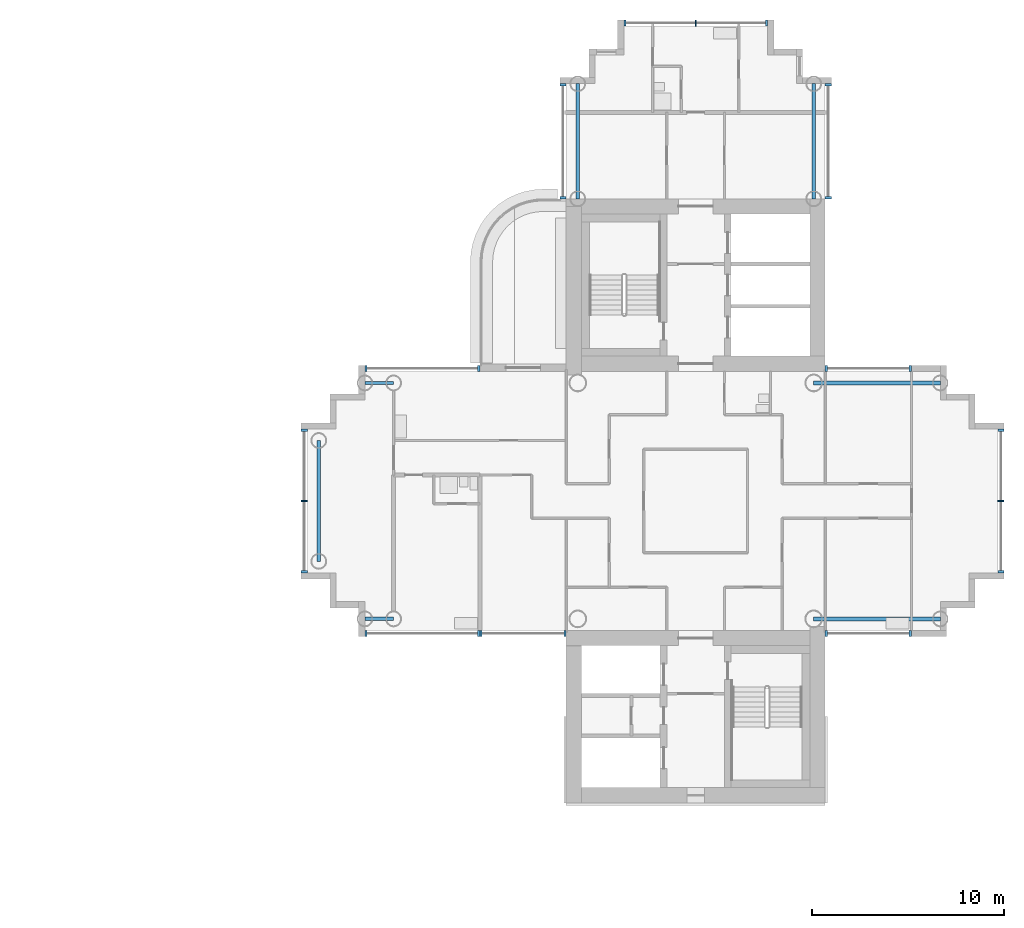
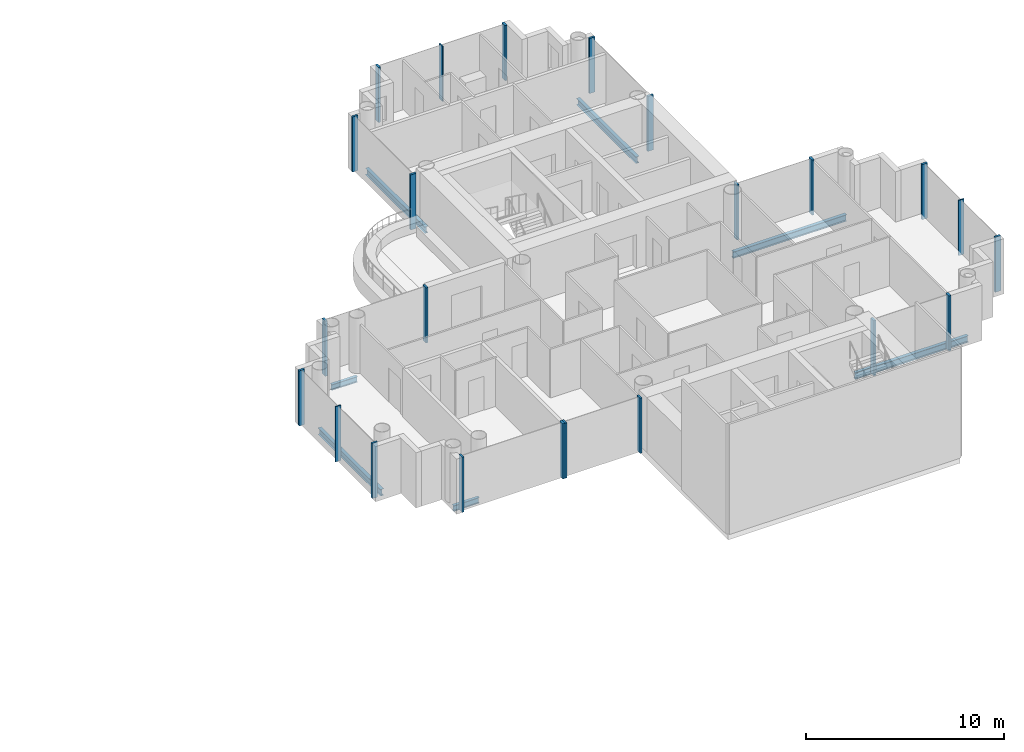
# One storey, part 4 of 19: 23 members, 7 beams, 10 elements without a shape of their own.
"""IFC4 building model written with IfcOpenShell, lengths in metres."""

from ifc_helpers import new_model, si_unit, direction, frame, origin, origin_2d, place, context, subcontext, project, spatial, rectangle, i_section, extrude, material, layer, layer_set, material_profile, profile_set, type_object, element, aggregate, save


model = new_model("IFC4")

# Units and contexts
model_context = context("Model", 3, precision=1e-05, world=origin(), true_north=direction((0.0, 1.0)))
body_context = subcontext(model_context, "Body", "Model", "MODEL_VIEW")
ifc_project = project(units=[si_unit("LENGTHUNIT", "METRE"), si_unit("AREAUNIT", "SQUARE_METRE"), si_unit("VOLUMEUNIT", "CUBIC_METRE"), si_unit("PLANEANGLEUNIT", "RADIAN"), si_unit("MASSUNIT", "GRAM", prefix="KILO")], contexts=[model_context])

# Site, building, storey
site_placement = place(None, origin())
site = spatial("IfcSite", under=ifc_project, at=site_placement, CompositionType="ELEMENT")
building_placement = place(site_placement, origin())
building = spatial("IfcBuilding", under=site, at=building_placement, Name="Ipe Terrace Towers", CompositionType="ELEMENT")
storey_placement = place(building_placement, frame((0.0, 0.0, 140.5)))
storey = spatial("IfcBuildingStorey", under=building, at=storey_placement, Name="L38", CompositionType="ELEMENT", Elevation=140.5)

# Beams
ifc_material_1 = material(Name="Steel S355", Category="steel")
ifc_material_profile_1 = material_profile(ifc_material_1, i_section(OverallWidth=0.175048828125, OverallDepth=0.35009765625, WebThickness=0.007080078125, FlangeThickness=0.010986328125, at=origin_2d()), Name="H-350x175x7x11")
ifc_profile_set_1 = profile_set([ifc_material_profile_1], Name="Steel S355")
beam_type_1 = type_object("IfcBeamType", Name="H04 EDGE BEAM H-350x175x7x11", PredefinedType="BEAM", material=ifc_profile_set_1)
for number, where, z_axis, x_axis, name in (
    (1, (20.25, 6.14990234375, -0.574951171875), (-1.0, 0.0, 0.0), (0.0, -1.0, 0.0), "Edge beam T2-EB-B03-B05"),
    (2, (20.25, -6.14990234375, -0.574951171875), (-1.0, 0.0, 0.0), (0.0, -1.0, 0.0), "Edge beam T2-EB-B04-B06"),
):
    element("IfcBeam", number, at=place(storey_placement, frame(where, z_axis=z_axis, x_axis=x_axis)), inside=storey, type_object=beam_type_1, Name=name, PredefinedType="BEAM", context=body_context, shape_type="SweptSolid", body=[
        extrude(i_section(OverallWidth=0.175048828125, OverallDepth=0.35009765625, WebThickness=0.007080078125, FlangeThickness=0.010986328125, at=origin_2d()), origin(), (0.0, 0.0, 1.0), 1.5),
    ])
ifc_material_2 = material(Name="Steel S355", Category="steel")
ifc_material_profile_2 = material_profile(ifc_material_2, i_section(OverallWidth=0.199951171875, OverallDepth=0.39990234375, WebThickness=0.008056640625, FlangeThickness=0.012939453125, at=origin_2d()), Name="H-400x200x8x13")
ifc_profile_set_2 = profile_set([ifc_material_profile_2], Name="Steel S355")
beam_type_2 = type_object("IfcBeamType", Name="H06 EDGE BEAM H-400x200x8x13", PredefinedType="BEAM", material=ifc_profile_set_2)
for number, where, z_axis, x_axis, name in (
    (3, (42.14990234375, 15.75, -0.60009765625), (0.0, 1.0, 0.0), (-1.0, 0.0, 0.0), "Edge beam T2-EB-A01-A03"),
    (4, (29.85009765625, 15.75, -0.60009765625), (0.0, 1.0, 0.0), (-1.0, 0.0, 0.0), "Edge beam T2-EB-A02-A04"),
):
    element("IfcBeam", number, at=place(storey_placement, frame(where, z_axis=z_axis, x_axis=x_axis)), inside=storey, type_object=beam_type_2, Name=name, PredefinedType="BEAM", context=body_context, shape_type="SweptSolid", body=[
        extrude(i_section(OverallWidth=0.199951171875, OverallDepth=0.39990234375, WebThickness=0.008056640625, FlangeThickness=0.012939453125, at=origin_2d()), origin(), (0.0, 0.0, 1.0), 6.0),
    ])
beam_placement = place(storey_placement, frame((16.35009765625, 3.14990234375, -0.60009765625), z_axis=(0.0, -1.0, 0.0), x_axis=(1.0, 0.0, 0.0)))
element("IfcBeam", 5, at=beam_placement, inside=storey, type_object=beam_type_2, Name="Edge beam T2-EB-B07-B08", PredefinedType="BEAM", context=body_context, shape_type="SweptSolid", body=[
    extrude(i_section(OverallWidth=0.199951171875, OverallDepth=0.39990234375, WebThickness=0.008056640625, FlangeThickness=0.012939453125, at=origin_2d()), origin(), (0.0, 0.0, 1.0), 6.2998046875),
])
for number, where, z_axis, x_axis, name in (
    (6, (48.75, -6.14990234375, -0.60009765625), (-1.0, 0.0, 0.0), (0.0, -1.0, 0.0), "Edge beam T2-EB-D01-E01"),
    (7, (48.75, 6.14990234375, -0.60009765625), (-1.0, 0.0, 0.0), (0.0, -1.0, 0.0), "Edge beam T2-EB-D02-E02"),
):
    element("IfcBeam", number, at=place(storey_placement, frame(where, z_axis=z_axis, x_axis=x_axis)), inside=storey, type_object=beam_type_2, Name=name, PredefinedType="BEAM", context=body_context, shape_type="SweptSolid", body=[
        extrude(i_section(OverallWidth=0.199951171875, OverallDepth=0.39990234375, WebThickness=0.008056640625, FlangeThickness=0.012939453125, at=origin_2d()), origin(), (0.0, 0.0, 1.0), 6.60009765625),
    ])

# Curtain wall, members
ifc_material_3 = material(Name="Aluminium alloy 6063-T6", Category="aluminium")
ifc_layer = layer(ifc_material_3, 0.320068359375)
ifc_layer_set = layer_set([ifc_layer], Name="TOWER UNITISED CURTAIN WALL")
curtain_wall_type = type_object("IfcCurtainWallType", Name="TOWER UNITISED CURTAIN WALL", PredefinedType="NOTDEFINED", material=ifc_layer_set)
curtain_wall_1_placement = place(storey_placement, origin())
curtain_wall_1 = element("IfcCurtainWall", 8, at=curtain_wall_1_placement, inside=storey, type_object=curtain_wall_type, Name="T2-CW-L38-02a curtain wall", PredefinedType="NOTDEFINED")
ifc_material_4 = material(Name="Aluminium alloy 6063-T6", Category="aluminium")
ifc_material_profile_3 = material_profile(ifc_material_4, rectangle(XDim=0.320068359375, YDim=0.1201171875, at=origin_2d()), Name="TOWER UNITISED CORNER MULLION 320 x 120")
ifc_profile_set_3 = profile_set([ifc_material_profile_3], Name="Aluminium alloy 6063-T6")
member_type_1 = type_object("IfcMemberType", Name="TOWER UNITISED CORNER MULLION 320 x 120", PredefinedType="MULLION", material=ifc_profile_set_3)
member_1_placement = place(storey_placement, frame((42.81005859375, -6.909912109375, -0.300048828125), z_axis=(0.0, 0.0, 1.0), x_axis=(0.0, -1.0, 0.0)))
member_1 = element("IfcMember", 9, at=member_1_placement, type_object=member_type_1, Name="T2-CW-L38-02a mullion 1", PredefinedType="MULLION", context=body_context, shape_type="SweptSolid", body=[
    extrude(rectangle(XDim=0.320068359375, YDim=0.1201171875, at=origin_2d()), origin(), (0.0, 0.0, 1.0), 3.400146484375),
])
member_2_placement = place(storey_placement, frame((47.18994140625, -6.909912109375, -0.300048828125), z_axis=(0.0, 0.0, 1.0), x_axis=(0.0, -1.0, 0.0)))
member_2 = element("IfcMember", 10, at=member_2_placement, type_object=member_type_1, Name="T2-CW-L38-02a mullion 2", PredefinedType="MULLION", context=body_context, shape_type="SweptSolid", body=[
    extrude(rectangle(XDim=0.320068359375, YDim=0.1201171875, at=origin_2d()), origin(), (0.0, 0.0, 1.0), 3.400146484375),
])
aggregate(curtain_wall_1, [member_1, member_2])

curtain_wall_2_placement = place(storey_placement, origin())
curtain_wall_2 = element("IfcCurtainWall", 11, at=curtain_wall_2_placement, inside=storey, type_object=curtain_wall_type, Name="T2-CW-L38-08a curtain wall", PredefinedType="NOTDEFINED")
member_3_placement = place(storey_placement, frame((51.909912109375, -3.68994140625, -0.300048828125), z_axis=(0.0, 0.0, 1.0), x_axis=(1.0, 0.0, 0.0)))
member_3 = element("IfcMember", 12, at=member_3_placement, type_object=member_type_1, Name="T2-CW-L38-08a mullion 1", PredefinedType="MULLION", context=body_context, shape_type="SweptSolid", body=[
    extrude(rectangle(XDim=0.320068359375, YDim=0.1201171875, at=origin_2d()), origin(), (0.0, 0.0, 1.0), 3.400146484375),
])
member_4_placement = place(storey_placement, frame((51.909912109375, 3.68994140625, -0.300048828125), z_axis=(0.0, 0.0, 1.0), x_axis=(1.0, 0.0, 0.0)))
member_4 = element("IfcMember", 13, at=member_4_placement, type_object=member_type_1, Name="T2-CW-L38-08a mullion 3", PredefinedType="MULLION", context=body_context, shape_type="SweptSolid", body=[
    extrude(rectangle(XDim=0.320068359375, YDim=0.1201171875, at=origin_2d()), origin(), (0.0, 0.0, 1.0), 3.400146484375),
])

curtain_wall_3_placement = place(storey_placement, origin())
curtain_wall_3 = element("IfcCurtainWall", 14, at=curtain_wall_3_placement, inside=storey, type_object=curtain_wall_type, Name="T2-CW-L38-14a curtain wall", PredefinedType="NOTDEFINED")
member_5_placement = place(storey_placement, frame((47.18994140625, 6.909912109375, -0.300048828125), z_axis=(0.0, 0.0, 1.0), x_axis=(0.0, 1.0, 0.0)))
member_5 = element("IfcMember", 15, at=member_5_placement, type_object=member_type_1, Name="T2-CW-L38-14a mullion 1", PredefinedType="MULLION", context=body_context, shape_type="SweptSolid", body=[
    extrude(rectangle(XDim=0.320068359375, YDim=0.1201171875, at=origin_2d()), origin(), (0.0, 0.0, 1.0), 3.400146484375),
])
member_6_placement = place(storey_placement, frame((42.81005859375, 6.909912109375, -0.300048828125), z_axis=(0.0, 0.0, 1.0), x_axis=(0.0, 1.0, 0.0)))
member_6 = element("IfcMember", 16, at=member_6_placement, type_object=member_type_1, Name="T2-CW-L38-14a mullion 2", PredefinedType="MULLION", context=body_context, shape_type="SweptSolid", body=[
    extrude(rectangle(XDim=0.320068359375, YDim=0.1201171875, at=origin_2d()), origin(), (0.0, 0.0, 1.0), 3.400146484375),
])
aggregate(curtain_wall_3, [member_5, member_6])

curtain_wall_4_placement = place(storey_placement, origin())
curtain_wall_4 = element("IfcCurtainWall", 17, at=curtain_wall_4_placement, inside=storey, type_object=curtain_wall_type, Name="T2-CW-L38-16b curtain wall", PredefinedType="NOTDEFINED")
member_7_placement = place(storey_placement, frame((42.909912109375, 15.81103515625, -0.300048828125), z_axis=(0.0, 0.0, 1.0), x_axis=(1.0, 0.0, 0.0)))
member_7 = element("IfcMember", 18, at=member_7_placement, type_object=member_type_1, Name="T2-CW-L38-16b mullion 1", PredefinedType="MULLION", context=body_context, shape_type="SweptSolid", body=[
    extrude(rectangle(XDim=0.320068359375, YDim=0.1201171875, at=origin_2d()), origin(), (0.0, 0.0, 1.0), 3.400146484375),
])
member_8_placement = place(storey_placement, frame((42.909912109375, 21.68994140625, -0.300048828125), z_axis=(0.0, 0.0, 1.0), x_axis=(1.0, 0.0, 0.0)))
member_8 = element("IfcMember", 19, at=member_8_placement, type_object=member_type_1, Name="T2-CW-L38-16b mullion 2", PredefinedType="MULLION", context=body_context, shape_type="SweptSolid", body=[
    extrude(rectangle(XDim=0.320068359375, YDim=0.1201171875, at=origin_2d()), origin(), (0.0, 0.0, 1.0), 3.400146484375),
])
aggregate(curtain_wall_4, [member_7, member_8])

curtain_wall_5_placement = place(storey_placement, origin())
curtain_wall_5 = element("IfcCurtainWall", 20, at=curtain_wall_5_placement, inside=storey, type_object=curtain_wall_type, Name="T2-CW-L38-21a curtain wall", PredefinedType="NOTDEFINED")
member_9_placement = place(storey_placement, frame((39.68994140625, 24.909912109375, -0.300048828125), z_axis=(0.0, 0.0, 1.0), x_axis=(0.0, 1.0, 0.0)))
member_9 = element("IfcMember", 21, at=member_9_placement, type_object=member_type_1, Name="T2-CW-L38-21a mullion 1", PredefinedType="MULLION", context=body_context, shape_type="SweptSolid", body=[
    extrude(rectangle(XDim=0.320068359375, YDim=0.1201171875, at=origin_2d()), origin(), (0.0, 0.0, 1.0), 3.400146484375),
])
member_10_placement = place(storey_placement, frame((32.31005859375, 24.909912109375, -0.300048828125), z_axis=(0.0, 0.0, 1.0), x_axis=(0.0, 1.0, 0.0)))
member_10 = element("IfcMember", 22, at=member_10_placement, type_object=member_type_1, Name="T2-CW-L38-21a mullion 3", PredefinedType="MULLION", context=body_context, shape_type="SweptSolid", body=[
    extrude(rectangle(XDim=0.320068359375, YDim=0.1201171875, at=origin_2d()), origin(), (0.0, 0.0, 1.0), 3.400146484375),
])

curtain_wall_6_placement = place(storey_placement, origin())
curtain_wall_6 = element("IfcCurtainWall", 23, at=curtain_wall_6_placement, inside=storey, type_object=curtain_wall_type, Name="T2-CW-L38-26a curtain wall", PredefinedType="NOTDEFINED")
member_11_placement = place(storey_placement, frame((29.090087890625, 21.68994140625, -0.300048828125), z_axis=(0.0, 0.0, 1.0), x_axis=(-1.0, 0.0, 0.0)))
member_11 = element("IfcMember", 24, at=member_11_placement, type_object=member_type_1, Name="T2-CW-L38-26a mullion 1", PredefinedType="MULLION", context=body_context, shape_type="SweptSolid", body=[
    extrude(rectangle(XDim=0.320068359375, YDim=0.1201171875, at=origin_2d()), origin(), (0.0, 0.0, 1.0), 3.400146484375),
])
member_12_placement = place(storey_placement, frame((29.090087890625, 15.81103515625, -0.300048828125), z_axis=(0.0, 0.0, 1.0), x_axis=(-1.0, 0.0, 0.0)))
member_12 = element("IfcMember", 25, at=member_12_placement, type_object=member_type_1, Name="T2-CW-L38-26a mullion 2", PredefinedType="MULLION", context=body_context, shape_type="SweptSolid", body=[
    extrude(rectangle(XDim=0.320068359375, YDim=0.1201171875, at=origin_2d()), origin(), (0.0, 0.0, 1.0), 3.400146484375),
])
aggregate(curtain_wall_6, [member_11, member_12])

curtain_wall_7_placement = place(storey_placement, origin())
curtain_wall_7 = element("IfcCurtainWall", 26, at=curtain_wall_7_placement, inside=storey, type_object=curtain_wall_type, Name="T2-CW-L38-29a curtain wall", PredefinedType="NOTDEFINED")
member_13_placement = place(storey_placement, frame((24.68994140625, 6.909912109375, -0.300048828125), z_axis=(0.0, 0.0, 1.0), x_axis=(0.0, 1.0, 0.0)))
member_13 = element("IfcMember", 27, at=member_13_placement, type_object=member_type_1, Name="T2-CW-L38-29a mullion 1", PredefinedType="MULLION", context=body_context, shape_type="SweptSolid", body=[
    extrude(rectangle(XDim=0.320068359375, YDim=0.1201171875, at=origin_2d()), origin(), (0.0, 0.0, 1.0), 3.400146484375),
])
member_14_placement = place(storey_placement, frame((18.81005859375, 6.909912109375, -0.300048828125), z_axis=(0.0, 0.0, 1.0), x_axis=(0.0, 1.0, 0.0)))
member_14 = element("IfcMember", 28, at=member_14_placement, type_object=member_type_1, Name="T2-CW-L38-29a mullion 2", PredefinedType="MULLION", context=body_context, shape_type="SweptSolid", body=[
    extrude(rectangle(XDim=0.320068359375, YDim=0.1201171875, at=origin_2d()), origin(), (0.0, 0.0, 1.0), 3.400146484375),
])
aggregate(curtain_wall_7, [member_13, member_14])

curtain_wall_8_placement = place(storey_placement, origin())
curtain_wall_8 = element("IfcCurtainWall", 29, at=curtain_wall_8_placement, inside=storey, type_object=curtain_wall_type, Name="T2-CW-L38-34a curtain wall", PredefinedType="NOTDEFINED")
member_15_placement = place(storey_placement, frame((15.590087890625, 3.68994140625, -0.300048828125), z_axis=(0.0, 0.0, 1.0), x_axis=(-1.0, 0.0, 0.0)))
member_15 = element("IfcMember", 30, at=member_15_placement, type_object=member_type_1, Name="T2-CW-L38-34a mullion 1", PredefinedType="MULLION", context=body_context, shape_type="SweptSolid", body=[
    extrude(rectangle(XDim=0.320068359375, YDim=0.1201171875, at=origin_2d()), origin(), (0.0, 0.0, 1.0), 3.400146484375),
])
member_16_placement = place(storey_placement, frame((15.590087890625, -3.68994140625, -0.300048828125), z_axis=(0.0, 0.0, 1.0), x_axis=(-1.0, 0.0, 0.0)))
member_16 = element("IfcMember", 31, at=member_16_placement, type_object=member_type_1, Name="T2-CW-L38-34a mullion 3", PredefinedType="MULLION", context=body_context, shape_type="SweptSolid", body=[
    extrude(rectangle(XDim=0.320068359375, YDim=0.1201171875, at=origin_2d()), origin(), (0.0, 0.0, 1.0), 3.400146484375),
])

curtain_wall_9_placement = place(storey_placement, origin())
curtain_wall_9 = element("IfcCurtainWall", 32, at=curtain_wall_9_placement, inside=storey, type_object=curtain_wall_type, Name="T2-CW-L38-39a curtain wall", PredefinedType="NOTDEFINED")
member_17_placement = place(storey_placement, frame((18.81005859375, -6.909912109375, -0.300048828125), z_axis=(0.0, 0.0, 1.0), x_axis=(0.0, -1.0, 0.0)))
member_17 = element("IfcMember", 33, at=member_17_placement, type_object=member_type_1, Name="T2-CW-L38-39a mullion 1", PredefinedType="MULLION", context=body_context, shape_type="SweptSolid", body=[
    extrude(rectangle(XDim=0.320068359375, YDim=0.1201171875, at=origin_2d()), origin(), (0.0, 0.0, 1.0), 3.400146484375),
])
member_18_placement = place(storey_placement, frame((24.68994140625, -6.909912109375, -0.300048828125), z_axis=(0.0, 0.0, 1.0), x_axis=(0.0, -1.0, 0.0)))
member_18 = element("IfcMember", 34, at=member_18_placement, type_object=member_type_1, Name="T2-CW-L38-39a mullion 2", PredefinedType="MULLION", context=body_context, shape_type="SweptSolid", body=[
    extrude(rectangle(XDim=0.320068359375, YDim=0.1201171875, at=origin_2d()), origin(), (0.0, 0.0, 1.0), 3.400146484375),
])
aggregate(curtain_wall_9, [member_17, member_18])

curtain_wall_10_placement = place(storey_placement, origin())
curtain_wall_10 = element("IfcCurtainWall", 35, at=curtain_wall_10_placement, inside=storey, type_object=curtain_wall_type, Name="T2-CW-L38-40a curtain wall", PredefinedType="NOTDEFINED")
member_19_placement = place(storey_placement, frame((24.81005859375, -6.909912109375, -0.300048828125), z_axis=(0.0, 0.0, 1.0), x_axis=(0.0, -1.0, 0.0)))
member_19 = element("IfcMember", 36, at=member_19_placement, type_object=member_type_1, Name="T2-CW-L38-40a mullion 1", PredefinedType="MULLION", context=body_context, shape_type="SweptSolid", body=[
    extrude(rectangle(XDim=0.320068359375, YDim=0.1201171875, at=origin_2d()), origin(), (0.0, 0.0, 1.0), 3.400146484375),
])
member_20_placement = place(storey_placement, frame((29.18994140625, -6.909912109375, -0.300048828125), z_axis=(0.0, 0.0, 1.0), x_axis=(0.0, -1.0, 0.0)))
member_20 = element("IfcMember", 37, at=member_20_placement, type_object=member_type_1, Name="T2-CW-L38-40a mullion 2", PredefinedType="MULLION", context=body_context, shape_type="SweptSolid", body=[
    extrude(rectangle(XDim=0.320068359375, YDim=0.1201171875, at=origin_2d()), origin(), (0.0, 0.0, 1.0), 3.400146484375),
])
aggregate(curtain_wall_10, [member_19, member_20])

# Member
ifc_material_5 = material(Name="Aluminium alloy 6063-T6", Category="aluminium")
ifc_material_profile_4 = material_profile(ifc_material_5, rectangle(XDim=0.320068359375, YDim=0.06494140625, at=origin_2d()), Name="TOWER UNITISED MULLION 320 x 65")
ifc_profile_set_4 = profile_set([ifc_material_profile_4], Name="Aluminium alloy 6063-T6")
member_type_2 = type_object("IfcMemberType", Name="TOWER UNITISED MULLION 320 x 65", PredefinedType="MULLION", material=ifc_profile_set_4)
member_21_placement = place(storey_placement, frame((51.909912109375, 0.0, -0.300048828125), z_axis=(0.0, 0.0, 1.0), x_axis=(1.0, 0.0, 0.0)))
member_21 = element("IfcMember", 38, at=member_21_placement, type_object=member_type_2, Name="T2-CW-L38-08a mullion 2", PredefinedType="MULLION", context=body_context, shape_type="SweptSolid", body=[
    extrude(rectangle(XDim=0.320068359375, YDim=0.06494140625, at=origin_2d()), origin(), (0.0, 0.0, 1.0), 3.400146484375),
])

aggregate(curtain_wall_2, [member_3, member_21, member_4])

member_22_placement = place(storey_placement, frame((36.0, 24.909912109375, -0.300048828125), z_axis=(0.0, 0.0, 1.0), x_axis=(0.0, 1.0, 0.0)))
member_22 = element("IfcMember", 39, at=member_22_placement, type_object=member_type_2, Name="T2-CW-L38-21a mullion 2", PredefinedType="MULLION", context=body_context, shape_type="SweptSolid", body=[
    extrude(rectangle(XDim=0.320068359375, YDim=0.06494140625, at=origin_2d()), origin(), (0.0, 0.0, 1.0), 3.400146484375),
])

aggregate(curtain_wall_5, [member_9, member_22, member_10])

member_23_placement = place(storey_placement, frame((15.590087890625, 0.0, -0.300048828125), z_axis=(0.0, 0.0, 1.0), x_axis=(-1.0, 0.0, 0.0)))
member_23 = element("IfcMember", 40, at=member_23_placement, type_object=member_type_2, Name="T2-CW-L38-34a mullion 2", PredefinedType="MULLION", context=body_context, shape_type="SweptSolid", body=[
    extrude(rectangle(XDim=0.320068359375, YDim=0.06494140625, at=origin_2d()), origin(), (0.0, 0.0, 1.0), 3.400146484375),
])

aggregate(curtain_wall_8, [member_15, member_23, member_16])

save(model, "model.ifc")
